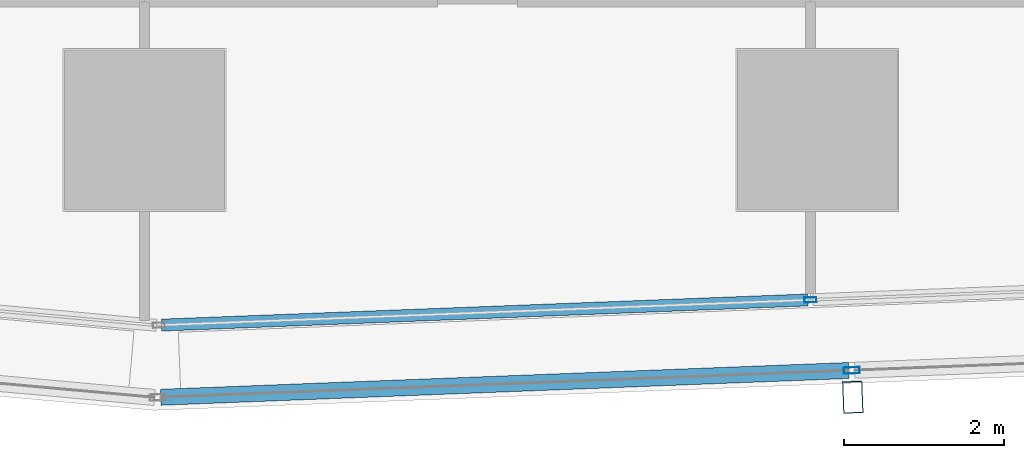
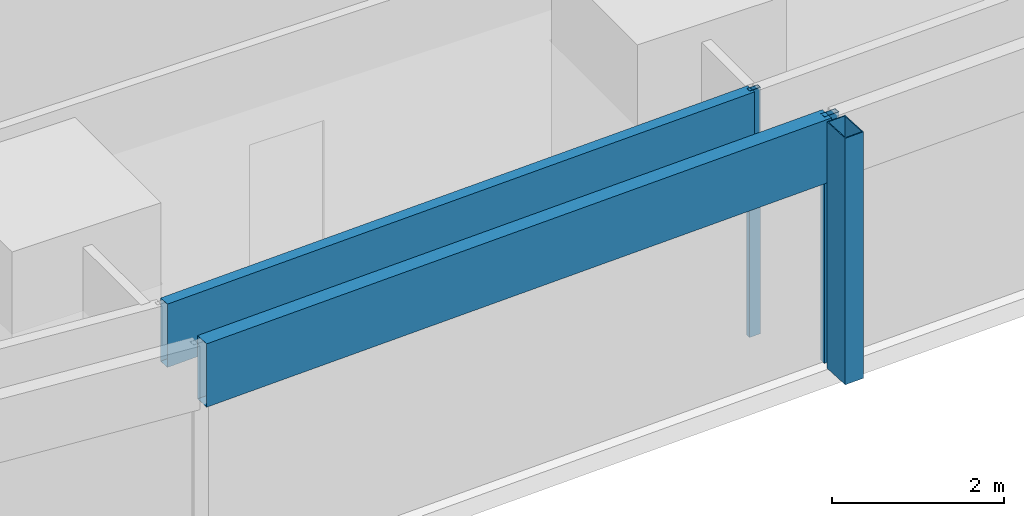
# One storey, part 4 of 36: 5 members, 2 elements without a shape of their own.
"""IFC4 building model written with IfcOpenShell, lengths in metres."""

from ifc_helpers import new_model, si_unit, direction, frame, origin, origin_2d, place, context, subcontext, project, spatial, hollow_rectangle, extrude, material, material_profile, profile_set, type_object, element, aggregate, save


model = new_model("IFC4")

# Units and contexts
model_context = context("Model", 3, precision=1e-05, world=origin(), true_north=direction((0.0, 1.0)))
body_context = subcontext(model_context, "Body", "Model", "MODEL_VIEW")
ifc_project = project(units=[si_unit("LENGTHUNIT", "METRE"), si_unit("AREAUNIT", "SQUARE_METRE"), si_unit("VOLUMEUNIT", "CUBIC_METRE"), si_unit("PLANEANGLEUNIT", "RADIAN"), si_unit("MASSUNIT", "GRAM", prefix="KILO")], contexts=[model_context])

# Site, building, storey
site_placement = place(None, origin())
site = spatial("IfcSite", under=ifc_project, at=site_placement, CompositionType="ELEMENT")
building_placement = place(site_placement, origin())
building = spatial("IfcBuilding", under=site, at=building_placement, Name="Rekha Terrace Tower", CompositionType="ELEMENT")
storey_placement = place(building_placement, frame((0.0, 0.0, 144.050048828125)))
storey = spatial("IfcBuildingStorey", under=building, at=storey_placement, Name="L36", CompositionType="ELEMENT", Elevation=144.050048828125)

# Curtain wall, member
ifc_material_1 = material(Name="Aluminium framing", Category="aluminium")
curtain_wall_type_1 = type_object("IfcCurtainWallType", Name="CW2 double skin outer glazing", PredefinedType="USERDEFINED", material=ifc_material_1)
curtain_wall_1_placement = place(storey_placement, origin())
curtain_wall_1 = element("IfcCurtainWall", 1, at=curtain_wall_1_placement, inside=storey, type_object=curtain_wall_type_1, Name="CW2 double skin outer glazing", ObjectType="DOUBLE SKIN OUTER GLAZING", PredefinedType="USERDEFINED")
ifc_material_2 = material(Name="Steel S355 with fluorocarbon finish", Category="steel")
ifc_material_profile_1 = material_profile(ifc_material_2, hollow_rectangle(XDim=0.25, YDim=0.39990234375, WallThickness=0.012451171875, at=origin_2d()), Name="RHS400x250x12.5")
ifc_profile_set_1 = profile_set([ifc_material_profile_1], Name="Steel S355 with fluorocarbon finish")
member_type_1 = type_object("IfcMemberType", Name="BL1 facade blade RHS 400 x 250", PredefinedType="USERDEFINED", material=ifc_profile_set_1)
member_1_placement = place(storey_placement, frame((34.042236328125, 13.46435546875, 0.0), z_axis=(0.0, 0.0, 1.0), x_axis=(0.999243494356, 0.038890088543, 0.0)))
member_1 = element("IfcMember", 2, at=member_1_placement, type_object=member_type_1, Name="Facade blade", ObjectType="FACADE BLADE", PredefinedType="USERDEFINED", context=body_context, shape_type="SweptSolid", body=[
    extrude(hollow_rectangle(XDim=0.25, YDim=0.39990234375, WallThickness=0.012451171875, at=origin_2d()), origin(), (0.0, 0.0, 1.0), 3.5),
])

# Curtain wall, members
curtain_wall_type_2 = type_object("IfcCurtainWallType", Name="CW1 double skin inner glazing", PredefinedType="USERDEFINED", material=ifc_material_1)
curtain_wall_2_placement = place(storey_placement, origin())
curtain_wall_2 = element("IfcCurtainWall", 3, at=curtain_wall_2_placement, inside=storey, type_object=curtain_wall_type_2, Name="CW1 double skin inner glazing", ObjectType="DOUBLE SKIN INNER GLAZING", PredefinedType="USERDEFINED")
ifc_material_3 = material(Name="Aluminium mullion section", Category="aluminium")
ifc_material_profile_2 = material_profile(ifc_material_3, hollow_rectangle(XDim=0.06494140625, YDim=0.14990234375, WallThickness=0.00390625, at=origin_2d()), Name="AL RHS 65x150")
ifc_profile_set_2 = profile_set([ifc_material_profile_2], Name="Aluminium mullion section")
member_type_2 = type_object("IfcMemberType", Name="CW1 mullion RHS 65 x 150", PredefinedType="MULLION", material=ifc_profile_set_2)
member_2_placement = place(storey_placement, frame((33.51318359375, 14.6796875, 0.0), z_axis=(0.0, 0.0, 1.0), x_axis=(-0.038889971328, 0.999243498918, 0.0)))
member_2 = element("IfcMember", 4, at=member_2_placement, type_object=member_type_2, Name="CW1 mullion 2", PredefinedType="MULLION", context=body_context, shape_type="SweptSolid", body=[
    extrude(hollow_rectangle(XDim=0.06494140625, YDim=0.14990234375, WallThickness=0.00390625, at=origin_2d()), origin(), (0.0, 0.0, 1.0), 3.5),
])
ifc_material_4 = material(Name="Insulated aluminium spandrel box", Category="aluminium")
ifc_material_profile_3 = material_profile(ifc_material_4, hollow_rectangle(XDim=0.14990234375, YDim=0.89990234375, WallThickness=0.0029296875, at=origin_2d()), Name="AL SPANDREL BOX 150x900")
ifc_profile_set_3 = profile_set([ifc_material_profile_3], Name="Insulated aluminium spandrel box")
member_type_3 = type_object("IfcMemberType", Name="CW1 spandrel transom 150 x 900", PredefinedType="USERDEFINED", material=ifc_profile_set_3)
member_3_placement = place(storey_placement, frame((25.412353515625, 14.364501953125, 3.050048828125), z_axis=(0.999243744226, 0.038883667849, 0.0), x_axis=(-0.038883667849, 0.999243744226, 0.0)))
member_3 = element("IfcMember", 5, at=member_3_placement, type_object=member_type_3, Name="CW1 spandrel transom 1", ObjectType="TRANSOM", PredefinedType="USERDEFINED", context=body_context, shape_type="SweptSolid", body=[
    extrude(hollow_rectangle(XDim=0.14990234375, YDim=0.89990234375, WallThickness=0.0029296875, at=origin_2d()), origin(), (0.0, 0.0, 1.0), 8.074462890625),
])
aggregate(curtain_wall_2, [member_2, member_3])

# Member
ifc_material_profile_4 = material_profile(ifc_material_3, hollow_rectangle(XDim=0.080078125, YDim=0.199951171875, WallThickness=0.00390625, at=origin_2d()), Name="AL RHS 80x200")
ifc_profile_set_4 = profile_set([ifc_material_profile_4], Name="Aluminium mullion section")
member_type_4 = type_object("IfcMemberType", Name="CW2 mullion RHS 80 x 200", PredefinedType="MULLION", material=ifc_profile_set_4)
member_4_placement = place(storey_placement, frame((34.029052734375, 13.799072265625, 0.0), z_axis=(0.0, 0.0, 1.0), x_axis=(-0.038889971345, 0.999243498917, 0.0)))
member_4 = element("IfcMember", 6, at=member_4_placement, type_object=member_type_4, Name="CW2 mullion 2", PredefinedType="MULLION", context=body_context, shape_type="SweptSolid", body=[
    extrude(hollow_rectangle(XDim=0.080078125, YDim=0.199951171875, WallThickness=0.00390625, at=origin_2d()), origin(), (0.0, 0.0, 1.0), 3.5),
])

ifc_material_profile_5 = material_profile(ifc_material_4, hollow_rectangle(XDim=0.199951171875, YDim=0.89990234375, WallThickness=0.0029296875, at=origin_2d()), Name="AL SPANDREL BOX 200x900")
ifc_profile_set_5 = profile_set([ifc_material_profile_5], Name="Insulated aluminium spandrel box")
member_type_5 = type_object("IfcMemberType", Name="CW2 spandrel transom 200 x 900", PredefinedType="USERDEFINED", material=ifc_profile_set_5)
member_5_placement = place(storey_placement, frame((25.404052734375, 13.46337890625, 3.050048828125), z_axis=(0.999243058466, 0.038901286707, 0.0), x_axis=(-0.038901286707, 0.999243058466, 0.0)))
member_5 = element("IfcMember", 7, at=member_5_placement, type_object=member_type_5, Name="CW2 spandrel transom 1", ObjectType="TRANSOM", PredefinedType="USERDEFINED", context=body_context, shape_type="SweptSolid", body=[
    extrude(hollow_rectangle(XDim=0.199951171875, YDim=0.89990234375, WallThickness=0.0029296875, at=origin_2d()), origin(), (0.0, 0.0, 1.0), 8.591796875),
])

aggregate(curtain_wall_1, [member_4, member_5, member_1])

save(model, "model.ifc")
